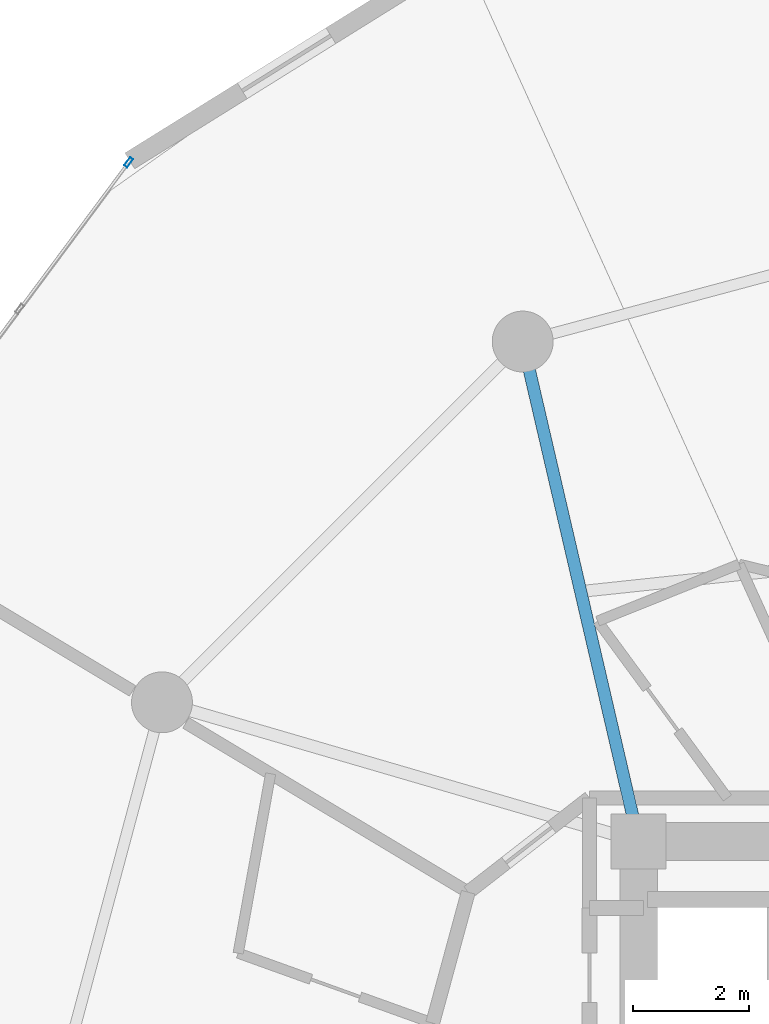
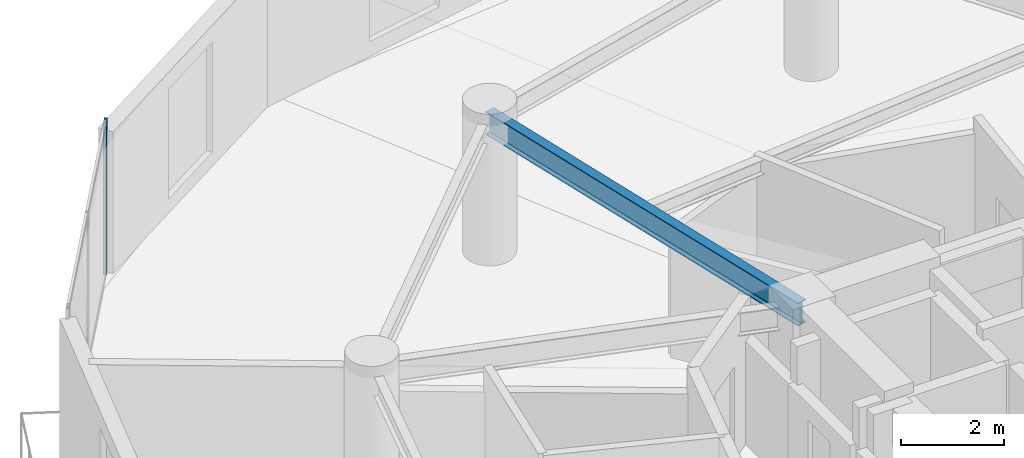
# One storey, part 13 of 22: 1 beam, 1 member, 1 element without a shape of its own.
"""IFC4 building model written with IfcOpenShell, lengths in metres."""

from ifc_helpers import new_model, si_unit, direction, frame, origin, origin_2d, place, context, subcontext, project, spatial, hollow_rectangle, i_section, extrude, source, transform, mapped, material, layer, layer_set, material_profile, profile_set, type_object, element, aggregate, save


model = new_model("IFC4")

# Units and contexts
model_context = context("Model", 3, precision=1e-05, world=origin(), true_north=direction((0.0, 1.0)))
body_context = subcontext(model_context, "Body", "Model", "MODEL_VIEW")
ifc_project = project(units=[si_unit("LENGTHUNIT", "METRE"), si_unit("AREAUNIT", "SQUARE_METRE"), si_unit("VOLUMEUNIT", "CUBIC_METRE"), si_unit("PLANEANGLEUNIT", "RADIAN"), si_unit("MASSUNIT", "GRAM", prefix="KILO")], contexts=[model_context])

# Site, building, storey
site_placement = place(None, origin())
site = spatial("IfcSite", under=ifc_project, at=site_placement, CompositionType="ELEMENT")
building_placement = place(site_placement, origin())
building = spatial("IfcBuilding", under=site, at=building_placement, Name="Solvirekh Grand Hotel", CompositionType="ELEMENT")
storey_placement = place(building_placement, frame((0.0, 0.0, 153.0)))
storey = spatial("IfcBuildingStorey", under=building, at=storey_placement, Name="L39", CompositionType="ELEMENT", Elevation=153.0)

# Beam
ifc_material_1 = material(Name="Steel S355", Category="steel")
ifc_material_profile_1 = material_profile(ifc_material_1, i_section(OverallWidth=0.2119140625, OverallDepth=0.5439453125, WebThickness=0.011962890625, FlangeThickness=0.01904296875, FilletRadius=0.013916015625, at=origin_2d()), Name="W530X123")
ifc_profile_set_1 = profile_set([ifc_material_profile_1], Name="Steel S355")
beam_type = type_object("IfcBeamType", Name="Beam_Radial_W530H", PredefinedType="BEAM", material=ifc_profile_set_1)
beam_placement = place(storey_placement, frame((-6.5, 6.10009765625, 3.077880859375), z_axis=(-0.225969390542, 0.974134402707, 0.0), x_axis=(-0.974134402707, -0.225969390542, 0.0)))
element("IfcBeam", 1, at=beam_placement, inside=storey, type_object=beam_type, Name="L39 radial floor beam R05", PredefinedType="BEAM", context=body_context, shape_type="SweptSolid", body=[
    extrude(i_section(OverallWidth=0.2119140625, OverallDepth=0.5439453125, WebThickness=0.011962890625, FlangeThickness=0.01904296875, FilletRadius=0.013916015625, at=origin_2d()), origin(), (0.0, 0.0, 1.0), 8.850830078125),
])

# Curtain wall, member
ifc_material_2 = material(Name="Anodized Bronze Aluminium 6063-T6", Category="aluminium")
ifc_layer = layer(ifc_material_2, 0.175048828125)
ifc_layer_set = layer_set([ifc_layer], Name="Anodized Bronze Aluminium 6063-T6")
curtain_wall_type = type_object("IfcCurtainWallType", Name="CW_Sys3_MidZoneFlushBronzeCW", PredefinedType="NOTDEFINED", material=ifc_layer_set)
curtain_wall_placement = place(storey_placement, origin())
curtain_wall = element("IfcCurtainWall", 2, at=curtain_wall_placement, inside=storey, type_object=curtain_wall_type, Name="L39 unitised bronze-glass curtain wall CW-L39-C11", PredefinedType="NOTDEFINED")
ifc_material_profile_2 = material_profile(ifc_material_2, hollow_rectangle(XDim=0.06494140625, YDim=0.175048828125, WallThickness=0.0048828125, at=origin_2d()), Name="ALU RHS 175X65X5")
ifc_profile_set_2 = profile_set([ifc_material_profile_2], Name="Anodized Bronze Aluminium 6063-T6")
member_type = type_object("IfcMemberType", Name="CWMullion_Sys3", PredefinedType="MULLION", material=ifc_profile_set_2)
shared_shape = source(origin(), body_context, "Body", "SweptSolid", [
    extrude(hollow_rectangle(XDim=0.06494140625, YDim=0.175048828125, WallThickness=0.0048828125, at=origin_2d()), origin(), (0.0, 0.0, 1.0), 3.60009765625),
])
member_placement = place(storey_placement, frame((-15.29638671875, 17.81298828125, 0.0), z_axis=(0.0, 0.0, 1.0), x_axis=(0.802630020394, -0.596477200204, 0.0)))
member = element("IfcMember", 3, at=member_placement, type_object=member_type, Name="U03 mullion 1", PredefinedType="MULLION", context=body_context, shape_type="MappedRepresentation", body=[
    mapped(shared_shape, transform((0.0, 0.0, 0.0), x_axis=(1.0, 0.0, 0.0), y_axis=(0.0, 1.0, 0.0), z_axis=(0.0, 0.0, 1.0), scale=1.0)),
])
aggregate(curtain_wall, [member])

save(model, "model.ifc")
